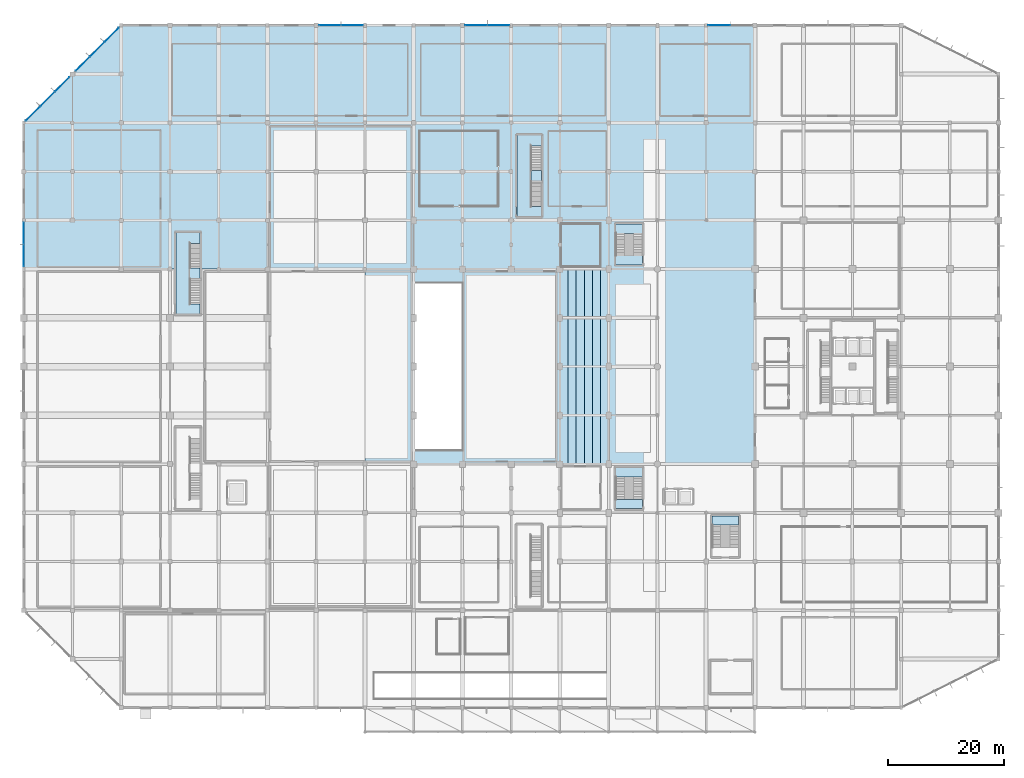
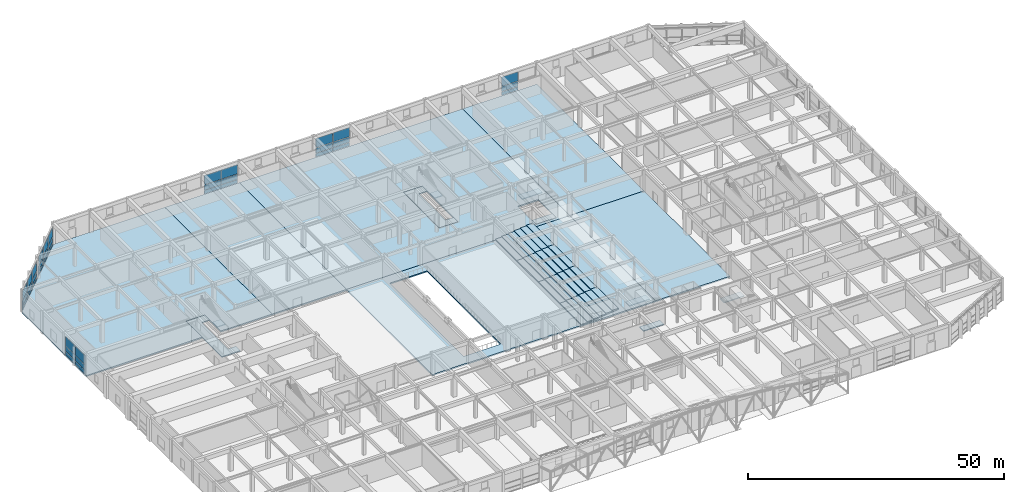
# One storey, part 38 of 62: 39 plates, 19 slabs, 11 elements without a shape of their own.
"""IFC4 building model written with IfcOpenShell, lengths in metres."""

from ifc_helpers import new_model, si_unit, direction, frame, origin, origin_2d, place, context, subcontext, project, spatial, polyline, rectangle, outline, extrude, material, layer, layer_set, type_object, element, aggregate, save


model = new_model("IFC4")

# Units and contexts
model_context = context("Model", 3, precision=1e-05, world=origin(), true_north=direction((0.0, 1.0)))
body_context = subcontext(model_context, "Body", "Model", "MODEL_VIEW")
ifc_project = project(units=[si_unit("LENGTHUNIT", "METRE"), si_unit("AREAUNIT", "SQUARE_METRE"), si_unit("VOLUMEUNIT", "CUBIC_METRE"), si_unit("PLANEANGLEUNIT", "RADIAN"), si_unit("MASSUNIT", "GRAM", prefix="KILO")], contexts=[model_context])

# Site, building, storey
site_placement = place(None, origin())
site = spatial("IfcSite", under=ifc_project, at=site_placement, CompositionType="ELEMENT")
building_placement = place(site_placement, origin())
building = spatial("IfcBuilding", under=site, at=building_placement, Name="Xuanlan Plaza Opera House", CompositionType="ELEMENT")
storey_placement = place(building_placement, origin())
storey = spatial("IfcBuildingStorey", under=building, at=storey_placement, Name="L00", CompositionType="ELEMENT", Elevation=0.0)

# Curtain wall, plates
ifc_material_1 = material(Name="Anodised Aluminium 6063-T6 and Low-E Glass", Category="aluminium")
curtain_wall_type_1 = type_object("IfcCurtainWallType", Name="ENV-CW-CW-02", PredefinedType="USERDEFINED", material=ifc_material_1)
curtain_wall_1_placement = place(storey_placement, origin())
curtain_wall_1 = element("IfcCurtainWall", 1, at=curtain_wall_1_placement, inside=storey, type_object=curtain_wall_type_1, Name="Unitised Curtain Wall L00-048", ObjectType="UNITISED CURTAIN WALL", PredefinedType="USERDEFINED")
ifc_material_2 = material(Name="Laminated Acoustic Double Glazing", Category="glass")
ifc_layer_1 = layer(ifc_material_2, 0.028076171875)
ifc_layer_set_1 = layer_set([ifc_layer_1], Name="Laminated Acoustic Double Glazing")
plate_type_1 = type_object("IfcPlateType", Name="ENV-CWP-01", PredefinedType="CURTAIN_PANEL", material=ifc_layer_set_1)
plate_1_placement = place(storey_placement, frame((6.622314453125, 107.42236328125, 0.074951171875), z_axis=(0.0, 0.0, 1.0), x_axis=(-0.707106781187, -0.707106781187, 0.0)))
plate_1 = element("IfcPlate", 2, at=plate_1_placement, type_object=plate_type_1, Name="CW-02 panel 1.1", PredefinedType="CURTAIN_PANEL", context=body_context, shape_type="SweptSolid", body=[
    extrude(rectangle(XDim=3.436767578125, YDim=0.028076171875, at=origin_2d()), origin(), (0.0, 0.0, 1.0), 0.83740234375),
])
plate_2_placement = place(storey_placement, frame((6.622314453125, 107.42236328125, 0.987548828125), z_axis=(0.0, 0.0, 1.0), x_axis=(-0.707106781187, -0.707106781187, 0.0)))
plate_2 = element("IfcPlate", 3, at=plate_2_placement, type_object=plate_type_1, Name="CW-02 panel 1.2", PredefinedType="CURTAIN_PANEL", context=body_context, shape_type="SweptSolid", body=[
    extrude(rectangle(XDim=3.436767578125, YDim=0.028076171875, at=origin_2d()), origin(), (0.0, 0.0, 1.0), 1.22509765625),
])
plate_3_placement = place(storey_placement, frame((6.622314453125, 107.42236328125, 2.28759765625), z_axis=(0.0, 0.0, 1.0), x_axis=(-0.707106781187, -0.707106781187, 0.0)))
plate_3 = element("IfcPlate", 4, at=plate_3_placement, type_object=plate_type_1, Name="CW-02 panel 1.3", PredefinedType="CURTAIN_PANEL", context=body_context, shape_type="SweptSolid", body=[
    extrude(rectangle(XDim=3.436767578125, YDim=0.028076171875, at=origin_2d()), origin(), (0.0, 0.0, 1.0), 2.217529296875),
])
plate_4_placement = place(storey_placement, frame((4.112548828125, 104.91259765625, 0.074951171875), z_axis=(0.0, 0.0, 1.0), x_axis=(-0.707106781187, -0.707106781187, 0.0)))
plate_4 = element("IfcPlate", 5, at=plate_4_placement, type_object=plate_type_1, Name="CW-02 panel 2.1", PredefinedType="CURTAIN_PANEL", context=body_context, shape_type="SweptSolid", body=[
    extrude(rectangle(XDim=3.48193359375, YDim=0.028076171875, at=origin_2d()), origin(), (0.0, 0.0, 1.0), 0.83740234375),
])
plate_5_placement = place(storey_placement, frame((4.112548828125, 104.91259765625, 0.987548828125), z_axis=(0.0, 0.0, 1.0), x_axis=(-0.707106781187, -0.707106781187, 0.0)))
plate_5 = element("IfcPlate", 6, at=plate_5_placement, type_object=plate_type_1, Name="CW-02 panel 2.2", PredefinedType="CURTAIN_PANEL", context=body_context, shape_type="SweptSolid", body=[
    extrude(rectangle(XDim=3.48193359375, YDim=0.028076171875, at=origin_2d()), origin(), (0.0, 0.0, 1.0), 1.22509765625),
])
plate_6_placement = place(storey_placement, frame((4.112548828125, 104.91259765625, 2.28759765625), z_axis=(0.0, 0.0, 1.0), x_axis=(-0.707106781187, -0.707106781187, 0.0)))
plate_6 = element("IfcPlate", 7, at=plate_6_placement, type_object=plate_type_1, Name="CW-02 panel 2.3", PredefinedType="CURTAIN_PANEL", context=body_context, shape_type="SweptSolid", body=[
    extrude(rectangle(XDim=3.48193359375, YDim=0.028076171875, at=origin_2d()), origin(), (0.0, 0.0, 1.0), 2.217529296875),
])
plate_7_placement = place(storey_placement, frame((1.602783203125, 102.40283203125, 0.074951171875), z_axis=(0.0, 0.0, 1.0), x_axis=(-0.707106781187, -0.707106781187, 0.0)))
plate_7 = element("IfcPlate", 8, at=plate_7_placement, type_object=plate_type_1, Name="CW-02 panel 3.1", PredefinedType="CURTAIN_PANEL", context=body_context, shape_type="SweptSolid", body=[
    extrude(rectangle(XDim=3.436767578125, YDim=0.028076171875, at=origin_2d()), origin(), (0.0, 0.0, 1.0), 0.83740234375),
])
plate_8_placement = place(storey_placement, frame((1.602783203125, 102.40283203125, 0.987548828125), z_axis=(0.0, 0.0, 1.0), x_axis=(-0.707106781187, -0.707106781187, 0.0)))
plate_8 = element("IfcPlate", 9, at=plate_8_placement, type_object=plate_type_1, Name="CW-02 panel 3.2", PredefinedType="CURTAIN_PANEL", context=body_context, shape_type="SweptSolid", body=[
    extrude(rectangle(XDim=3.436767578125, YDim=0.028076171875, at=origin_2d()), origin(), (0.0, 0.0, 1.0), 1.22509765625),
])
plate_9_placement = place(storey_placement, frame((1.602783203125, 102.40283203125, 2.28759765625), z_axis=(0.0, 0.0, 1.0), x_axis=(-0.707106781187, -0.707106781187, 0.0)))
plate_9 = element("IfcPlate", 10, at=plate_9_placement, type_object=plate_type_1, Name="CW-02 panel 3.3", PredefinedType="CURTAIN_PANEL", context=body_context, shape_type="SweptSolid", body=[
    extrude(rectangle(XDim=3.436767578125, YDim=0.028076171875, at=origin_2d()), origin(), (0.0, 0.0, 1.0), 2.217529296875),
])
aggregate(curtain_wall_1, [plate_1, plate_2, plate_3, plate_4, plate_5, plate_6, plate_7, plate_8, plate_9])

curtain_wall_type_2 = type_object("IfcCurtainWallType", Name="ENV-CW-CW-04", PredefinedType="USERDEFINED", material=ifc_material_1)
curtain_wall_2_placement = place(storey_placement, origin())
curtain_wall_2 = element("IfcCurtainWall", 11, at=curtain_wall_2_placement, inside=storey, type_object=curtain_wall_type_2, Name="Unitised Curtain Wall L00-042", ObjectType="UNITISED CURTAIN WALL", PredefinedType="USERDEFINED")
ifc_layer_2 = layer(ifc_material_2, 0.035888671875)
ifc_layer_set_2 = layer_set([ifc_layer_2], Name="Laminated Acoustic Double Glazing")
plate_type_2 = type_object("IfcPlateType", Name="ENV-CWP-03", PredefinedType="CURTAIN_PANEL", material=ifc_layer_set_2)
plate_10_placement = place(storey_placement, frame((56.58251953125, 117.60009765625, 0.06494140625), z_axis=(0.0, 0.0, 1.0), x_axis=(-1.0, 0.0, 0.0)))
plate_10 = element("IfcPlate", 12, at=plate_10_placement, type_object=plate_type_2, Name="CW-04 panel 1.1", PredefinedType="CURTAIN_PANEL", context=body_context, shape_type="SweptSolid", body=[
    extrude(rectangle(XDim=3.735107421875, YDim=0.035888671875, at=origin_2d()), origin(), (0.0, 0.0, 1.0), 0.8525390625),
])
plate_11_placement = place(storey_placement, frame((56.58251953125, 117.60009765625, 0.982421875), z_axis=(0.0, 0.0, 1.0), x_axis=(-1.0, 0.0, 0.0)))
plate_11 = element("IfcPlate", 13, at=plate_11_placement, type_object=plate_type_2, Name="CW-04 panel 1.2", PredefinedType="CURTAIN_PANEL", context=body_context, shape_type="SweptSolid", body=[
    extrude(rectangle(XDim=3.735107421875, YDim=0.035888671875, at=origin_2d()), origin(), (0.0, 0.0, 1.0), 1.235107421875),
])
plate_12_placement = place(storey_placement, frame((56.58251953125, 117.60009765625, 2.282470703125), z_axis=(0.0, 0.0, 1.0), x_axis=(-1.0, 0.0, 0.0)))
plate_12 = element("IfcPlate", 14, at=plate_12_placement, type_object=plate_type_2, Name="CW-04 panel 1.3", PredefinedType="CURTAIN_PANEL", context=body_context, shape_type="SweptSolid", body=[
    extrude(rectangle(XDim=3.735107421875, YDim=0.035888671875, at=origin_2d()), origin(), (0.0, 0.0, 1.0), 2.232421875),
])
plate_13_placement = place(storey_placement, frame((52.767578125, 117.60009765625, 0.06494140625), z_axis=(0.0, 0.0, 1.0), x_axis=(-1.0, 0.0, 0.0)))
plate_13 = element("IfcPlate", 15, at=plate_13_placement, type_object=plate_type_2, Name="CW-04 panel 2.1", PredefinedType="CURTAIN_PANEL", context=body_context, shape_type="SweptSolid", body=[
    extrude(rectangle(XDim=3.735107421875, YDim=0.035888671875, at=origin_2d()), origin(), (0.0, 0.0, 1.0), 0.8525390625),
])
plate_14_placement = place(storey_placement, frame((52.767578125, 117.60009765625, 0.982421875), z_axis=(0.0, 0.0, 1.0), x_axis=(-1.0, 0.0, 0.0)))
plate_14 = element("IfcPlate", 16, at=plate_14_placement, type_object=plate_type_2, Name="CW-04 panel 2.2", PredefinedType="CURTAIN_PANEL", context=body_context, shape_type="SweptSolid", body=[
    extrude(rectangle(XDim=3.735107421875, YDim=0.035888671875, at=origin_2d()), origin(), (0.0, 0.0, 1.0), 1.235107421875),
])
plate_15_placement = place(storey_placement, frame((52.767578125, 117.60009765625, 2.282470703125), z_axis=(0.0, 0.0, 1.0), x_axis=(-1.0, 0.0, 0.0)))
plate_15 = element("IfcPlate", 17, at=plate_15_placement, type_object=plate_type_2, Name="CW-04 panel 2.3", PredefinedType="CURTAIN_PANEL", context=body_context, shape_type="SweptSolid", body=[
    extrude(rectangle(XDim=3.735107421875, YDim=0.035888671875, at=origin_2d()), origin(), (0.0, 0.0, 1.0), 2.232421875),
])
aggregate(curtain_wall_2, [plate_10, plate_11, plate_12, plate_13, plate_14, plate_15])

curtain_wall_type_3 = type_object("IfcCurtainWallType", Name="ENV-CW-CW-01", PredefinedType="USERDEFINED", material=ifc_material_1)
curtain_wall_3_placement = place(storey_placement, origin())
curtain_wall_3 = element("IfcCurtainWall", 18, at=curtain_wall_3_placement, inside=storey, type_object=curtain_wall_type_3, Name="Unitised Curtain Wall L00-047", ObjectType="UNITISED CURTAIN WALL", PredefinedType="USERDEFINED")
plate_16_placement = place(storey_placement, frame((15.136474609375, 115.9365234375, 0.06494140625), z_axis=(0.0, 0.0, 1.0), x_axis=(-0.707106781187, -0.707106781187, 0.0)))
plate_16 = element("IfcPlate", 19, at=plate_16_placement, type_object=plate_type_2, Name="CW-01 panel 1.1", PredefinedType="CURTAIN_PANEL", context=body_context, shape_type="SweptSolid", body=[
    extrude(rectangle(XDim=3.41650390625, YDim=0.035888671875, at=origin_2d()), origin(), (0.0, 0.0, 1.0), 0.8525390625),
])
plate_17_placement = place(storey_placement, frame((15.136474609375, 115.9365234375, 0.982421875), z_axis=(0.0, 0.0, 1.0), x_axis=(-0.707106781187, -0.707106781187, 0.0)))
plate_17 = element("IfcPlate", 20, at=plate_17_placement, type_object=plate_type_2, Name="CW-01 panel 1.2", PredefinedType="CURTAIN_PANEL", context=body_context, shape_type="SweptSolid", body=[
    extrude(rectangle(XDim=3.41650390625, YDim=0.035888671875, at=origin_2d()), origin(), (0.0, 0.0, 1.0), 1.235107421875),
])
plate_18_placement = place(storey_placement, frame((15.136474609375, 115.9365234375, 2.282470703125), z_axis=(0.0, 0.0, 1.0), x_axis=(-0.707106781187, -0.707106781187, 0.0)))
plate_18 = element("IfcPlate", 21, at=plate_18_placement, type_object=plate_type_2, Name="CW-01 panel 1.3", PredefinedType="CURTAIN_PANEL", context=body_context, shape_type="SweptSolid", body=[
    extrude(rectangle(XDim=3.41650390625, YDim=0.035888671875, at=origin_2d()), origin(), (0.0, 0.0, 1.0), 2.232421875),
])
plate_19_placement = place(storey_placement, frame((12.64990234375, 113.449951171875, 0.06494140625), z_axis=(0.0, 0.0, 1.0), x_axis=(-0.707106781187, -0.707106781187, 0.0)))
plate_19 = element("IfcPlate", 22, at=plate_19_placement, type_object=plate_type_2, Name="CW-01 panel 2.1", PredefinedType="CURTAIN_PANEL", context=body_context, shape_type="SweptSolid", body=[
    extrude(rectangle(XDim=3.45654296875, YDim=0.035888671875, at=origin_2d()), origin(), (0.0, 0.0, 1.0), 0.8525390625),
])
plate_20_placement = place(storey_placement, frame((12.64990234375, 113.449951171875, 0.982421875), z_axis=(0.0, 0.0, 1.0), x_axis=(-0.707106781187, -0.707106781187, 0.0)))
plate_20 = element("IfcPlate", 23, at=plate_20_placement, type_object=plate_type_2, Name="CW-01 panel 2.2", PredefinedType="CURTAIN_PANEL", context=body_context, shape_type="SweptSolid", body=[
    extrude(rectangle(XDim=3.45654296875, YDim=0.035888671875, at=origin_2d()), origin(), (0.0, 0.0, 1.0), 1.235107421875),
])
plate_21_placement = place(storey_placement, frame((12.64990234375, 113.449951171875, 2.282470703125), z_axis=(0.0, 0.0, 1.0), x_axis=(-0.707106781187, -0.707106781187, 0.0)))
plate_21 = element("IfcPlate", 24, at=plate_21_placement, type_object=plate_type_2, Name="CW-01 panel 2.3", PredefinedType="CURTAIN_PANEL", context=body_context, shape_type="SweptSolid", body=[
    extrude(rectangle(XDim=3.45654296875, YDim=0.035888671875, at=origin_2d()), origin(), (0.0, 0.0, 1.0), 2.232421875),
])
plate_22_placement = place(storey_placement, frame((10.16357421875, 110.96337890625, 0.06494140625), z_axis=(0.0, 0.0, 1.0), x_axis=(-0.707106781187, -0.707106781187, 0.0)))
plate_22 = element("IfcPlate", 25, at=plate_22_placement, type_object=plate_type_2, Name="CW-01 panel 3.1", PredefinedType="CURTAIN_PANEL", context=body_context, shape_type="SweptSolid", body=[
    extrude(rectangle(XDim=3.41650390625, YDim=0.035888671875, at=origin_2d()), origin(), (0.0, 0.0, 1.0), 0.8525390625),
])
plate_23_placement = place(storey_placement, frame((10.16357421875, 110.96337890625, 0.982421875), z_axis=(0.0, 0.0, 1.0), x_axis=(-0.707106781187, -0.707106781187, 0.0)))
plate_23 = element("IfcPlate", 26, at=plate_23_placement, type_object=plate_type_2, Name="CW-01 panel 3.2", PredefinedType="CURTAIN_PANEL", context=body_context, shape_type="SweptSolid", body=[
    extrude(rectangle(XDim=3.41650390625, YDim=0.035888671875, at=origin_2d()), origin(), (0.0, 0.0, 1.0), 1.235107421875),
])
plate_24_placement = place(storey_placement, frame((10.16357421875, 110.96337890625, 2.282470703125), z_axis=(0.0, 0.0, 1.0), x_axis=(-0.707106781187, -0.707106781187, 0.0)))
plate_24 = element("IfcPlate", 27, at=plate_24_placement, type_object=plate_type_2, Name="CW-01 panel 3.3", PredefinedType="CURTAIN_PANEL", context=body_context, shape_type="SweptSolid", body=[
    extrude(rectangle(XDim=3.41650390625, YDim=0.035888671875, at=origin_2d()), origin(), (0.0, 0.0, 1.0), 2.232421875),
])
aggregate(curtain_wall_3, [plate_16, plate_17, plate_18, plate_19, plate_20, plate_21, plate_22, plate_23, plate_24])

curtain_wall_type_4 = type_object("IfcCurtainWallType", Name="ENV-CW-CW-05", PredefinedType="USERDEFINED", material=ifc_material_1)
curtain_wall_4_placement = place(storey_placement, origin())
curtain_wall_4 = element("IfcCurtainWall", 28, at=curtain_wall_4_placement, inside=storey, type_object=curtain_wall_type_4, Name="Acoustic Glazed Wall L00-034", ObjectType="ACOUSTIC GLAZED WALL", PredefinedType="USERDEFINED")
ifc_layer_3 = layer(ifc_material_2, 0.0400390625)
ifc_layer_set_3 = layer_set([ifc_layer_3], Name="Laminated Acoustic Double Glazing")
plate_type_3 = type_object("IfcPlateType", Name="ENV-CWP-04", PredefinedType="CURTAIN_PANEL", material=ifc_layer_set_3)
plate_25_placement = place(storey_placement, frame((119.851318359375, 117.60009765625, 0.090087890625), z_axis=(0.0, 0.0, 1.0), x_axis=(-1.0, 0.0, 0.0)))
plate_25 = element("IfcPlate", 29, at=plate_25_placement, type_object=plate_type_3, Name="CW-05 panel 2.1", PredefinedType="CURTAIN_PANEL", context=body_context, shape_type="SweptSolid", body=[
    extrude(rectangle(XDim=3.732421875, YDim=0.0400390625, at=origin_2d()), origin(), (0.0, 0.0, 1.0), 0.81494140625),
])
plate_26_placement = place(storey_placement, frame((119.851318359375, 117.60009765625, 0.9951171875), z_axis=(0.0, 0.0, 1.0), x_axis=(-1.0, 0.0, 0.0)))
plate_26 = element("IfcPlate", 30, at=plate_26_placement, type_object=plate_type_3, Name="CW-05 panel 2.2", PredefinedType="CURTAIN_PANEL", context=body_context, shape_type="SweptSolid", body=[
    extrude(rectangle(XDim=3.732421875, YDim=0.0400390625, at=origin_2d()), origin(), (0.0, 0.0, 1.0), 1.2099609375),
])
plate_27_placement = place(storey_placement, frame((119.851318359375, 117.60009765625, 2.294921875), z_axis=(0.0, 0.0, 1.0), x_axis=(-1.0, 0.0, 0.0)))
plate_27 = element("IfcPlate", 31, at=plate_27_placement, type_object=plate_type_3, Name="CW-05 panel 2.3", PredefinedType="CURTAIN_PANEL", context=body_context, shape_type="SweptSolid", body=[
    extrude(rectangle(XDim=3.732421875, YDim=0.0400390625, at=origin_2d()), origin(), (0.0, 0.0, 1.0), 2.195068359375),
])
aggregate(curtain_wall_4, [plate_25, plate_26, plate_27])

curtain_wall_type_5 = type_object("IfcCurtainWallType", Name="ENV-CW-CW-06", PredefinedType="USERDEFINED", material=ifc_material_1)
curtain_wall_5_placement = place(storey_placement, origin())
curtain_wall_5 = element("IfcCurtainWall", 32, at=curtain_wall_5_placement, inside=storey, type_object=curtain_wall_type_5, Name="Acoustic Glazed Wall L00-039", ObjectType="ACOUSTIC GLAZED WALL", PredefinedType="USERDEFINED")
plate_28_placement = place(storey_placement, frame((81.804931640625, 117.60009765625, 0.090087890625), z_axis=(0.0, 0.0, 1.0), x_axis=(-1.0, 0.0, 0.0)))
plate_28 = element("IfcPlate", 33, at=plate_28_placement, type_object=plate_type_3, Name="CW-06 panel 1.1", PredefinedType="CURTAIN_PANEL", context=body_context, shape_type="SweptSolid", body=[
    extrude(rectangle(XDim=3.77001953125, YDim=0.0400390625, at=origin_2d()), origin(), (0.0, 0.0, 1.0), 0.81494140625),
])
plate_29_placement = place(storey_placement, frame((81.804931640625, 117.60009765625, 0.9951171875), z_axis=(0.0, 0.0, 1.0), x_axis=(-1.0, 0.0, 0.0)))
plate_29 = element("IfcPlate", 34, at=plate_29_placement, type_object=plate_type_3, Name="CW-06 panel 1.2", PredefinedType="CURTAIN_PANEL", context=body_context, shape_type="SweptSolid", body=[
    extrude(rectangle(XDim=3.77001953125, YDim=0.0400390625, at=origin_2d()), origin(), (0.0, 0.0, 1.0), 1.2099609375),
])
plate_30_placement = place(storey_placement, frame((81.804931640625, 117.60009765625, 2.294921875), z_axis=(0.0, 0.0, 1.0), x_axis=(-1.0, 0.0, 0.0)))
plate_30 = element("IfcPlate", 35, at=plate_30_placement, type_object=plate_type_3, Name="CW-06 panel 1.3", PredefinedType="CURTAIN_PANEL", context=body_context, shape_type="SweptSolid", body=[
    extrude(rectangle(XDim=3.77001953125, YDim=0.0400390625, at=origin_2d()), origin(), (0.0, 0.0, 1.0), 2.195068359375),
])
plate_31_placement = place(storey_placement, frame((77.969970703125, 117.60009765625, 0.090087890625), z_axis=(0.0, 0.0, 1.0), x_axis=(-1.0, 0.0, 0.0)))
plate_31 = element("IfcPlate", 36, at=plate_31_placement, type_object=plate_type_3, Name="CW-06 panel 2.1", PredefinedType="CURTAIN_PANEL", context=body_context, shape_type="SweptSolid", body=[
    extrude(rectangle(XDim=3.77001953125, YDim=0.0400390625, at=origin_2d()), origin(), (0.0, 0.0, 1.0), 0.81494140625),
])
plate_32_placement = place(storey_placement, frame((77.969970703125, 117.60009765625, 0.9951171875), z_axis=(0.0, 0.0, 1.0), x_axis=(-1.0, 0.0, 0.0)))
plate_32 = element("IfcPlate", 37, at=plate_32_placement, type_object=plate_type_3, Name="CW-06 panel 2.2", PredefinedType="CURTAIN_PANEL", context=body_context, shape_type="SweptSolid", body=[
    extrude(rectangle(XDim=3.77001953125, YDim=0.0400390625, at=origin_2d()), origin(), (0.0, 0.0, 1.0), 1.2099609375),
])
plate_33_placement = place(storey_placement, frame((77.969970703125, 117.60009765625, 2.294921875), z_axis=(0.0, 0.0, 1.0), x_axis=(-1.0, 0.0, 0.0)))
plate_33 = element("IfcPlate", 38, at=plate_33_placement, type_object=plate_type_3, Name="CW-06 panel 2.3", PredefinedType="CURTAIN_PANEL", context=body_context, shape_type="SweptSolid", body=[
    extrude(rectangle(XDim=3.77001953125, YDim=0.0400390625, at=origin_2d()), origin(), (0.0, 0.0, 1.0), 2.195068359375),
])
aggregate(curtain_wall_5, [plate_28, plate_29, plate_30, plate_31, plate_32, plate_33])

curtain_wall_6_placement = place(storey_placement, origin())
curtain_wall_6 = element("IfcCurtainWall", 39, at=curtain_wall_6_placement, inside=storey, type_object=curtain_wall_type_3, Name="Unitised Curtain Wall L00-051", ObjectType="UNITISED CURTAIN WALL", PredefinedType="USERDEFINED")
ifc_layer_4 = layer(ifc_material_2, 0.0439453125)
ifc_layer_set_4 = layer_set([ifc_layer_4], Name="Laminated Acoustic Double Glazing")
plate_type_4 = type_object("IfcPlateType", Name="ENV-CWP-05", PredefinedType="CURTAIN_PANEL", material=ifc_layer_set_4)
plate_34_placement = place(storey_placement, frame((0.0, 81.739990234375, 0.080078125), z_axis=(0.0, 0.0, 1.0), x_axis=(0.0, -1.0, 0.0)))
plate_34 = element("IfcPlate", 40, at=plate_34_placement, type_object=plate_type_4, Name="CW-01 panel 1.1", PredefinedType="CURTAIN_PANEL", context=body_context, shape_type="SweptSolid", body=[
    extrude(rectangle(XDim=3.72998046875, YDim=0.0439453125, at=origin_2d()), origin(), (0.0, 0.0, 1.0), 0.830078125),
])
plate_35_placement = place(storey_placement, frame((0.0, 81.739990234375, 0.990234375), z_axis=(0.0, 0.0, 1.0), x_axis=(0.0, -1.0, 0.0)))
plate_35 = element("IfcPlate", 41, at=plate_35_placement, type_object=plate_type_4, Name="CW-01 panel 1.2", PredefinedType="CURTAIN_PANEL", context=body_context, shape_type="SweptSolid", body=[
    extrude(rectangle(XDim=3.72998046875, YDim=0.0439453125, at=origin_2d()), origin(), (0.0, 0.0, 1.0), 1.219970703125),
])
plate_36_placement = place(storey_placement, frame((0.0, 81.739990234375, 2.2900390625), z_axis=(0.0, 0.0, 1.0), x_axis=(0.0, -1.0, 0.0)))
plate_36 = element("IfcPlate", 42, at=plate_36_placement, type_object=plate_type_4, Name="CW-01 panel 1.3", PredefinedType="CURTAIN_PANEL", context=body_context, shape_type="SweptSolid", body=[
    extrude(rectangle(XDim=3.72998046875, YDim=0.0439453125, at=origin_2d()), origin(), (0.0, 0.0, 1.0), 2.2099609375),
])
plate_37_placement = place(storey_placement, frame((0.0, 77.93505859375, 0.080078125), z_axis=(0.0, 0.0, 1.0), x_axis=(0.0, -1.0, 0.0)))
plate_37 = element("IfcPlate", 43, at=plate_37_placement, type_object=plate_type_4, Name="CW-01 panel 2.1", PredefinedType="CURTAIN_PANEL", context=body_context, shape_type="SweptSolid", body=[
    extrude(rectangle(XDim=3.72998046875, YDim=0.0439453125, at=origin_2d()), origin(), (0.0, 0.0, 1.0), 0.830078125),
])
plate_38_placement = place(storey_placement, frame((0.0, 77.93505859375, 0.990234375), z_axis=(0.0, 0.0, 1.0), x_axis=(0.0, -1.0, 0.0)))
plate_38 = element("IfcPlate", 44, at=plate_38_placement, type_object=plate_type_4, Name="CW-01 panel 2.2", PredefinedType="CURTAIN_PANEL", context=body_context, shape_type="SweptSolid", body=[
    extrude(rectangle(XDim=3.72998046875, YDim=0.0439453125, at=origin_2d()), origin(), (0.0, 0.0, 1.0), 1.219970703125),
])
plate_39_placement = place(storey_placement, frame((0.0, 77.93505859375, 2.2900390625), z_axis=(0.0, 0.0, 1.0), x_axis=(0.0, -1.0, 0.0)))
plate_39 = element("IfcPlate", 45, at=plate_39_placement, type_object=plate_type_4, Name="CW-01 panel 2.3", PredefinedType="CURTAIN_PANEL", context=body_context, shape_type="SweptSolid", body=[
    extrude(rectangle(XDim=3.72998046875, YDim=0.0439453125, at=origin_2d()), origin(), (0.0, 0.0, 1.0), 2.2099609375),
])
aggregate(curtain_wall_6, [plate_34, plate_35, plate_36, plate_37, plate_38, plate_39])

# Stair, slabs
ifc_material_3 = material(Name="Concrete C40", Category="concrete")
stair_type_1 = type_object("IfcStairType", Name="INT-ST-STR-F130", PredefinedType="HALF_TURN_STAIR", material=ifc_material_3)
stair_1_placement = place(storey_placement, origin())
stair_1 = element("IfcStair", 46, at=stair_1_placement, inside=storey, type_object=stair_type_1, Name="Grand Foyer Feature Stair ST-F1 L00", PredefinedType="HALF_TURN_STAIR")
ifc_layer_5 = layer(ifc_material_3, 0.18994140625)
ifc_layer_set_5 = layer_set([ifc_layer_5], Name="Concrete C40")
slab_type_1 = type_object("IfcSlabType", Name="INT-SLB-LND-19", PredefinedType="LANDING", material=ifc_layer_set_5)
slab_1_placement = place(storey_placement, frame((0.0, 0.0, 2.510009765625)))
slab_1 = element("IfcSlab", 47, at=slab_1_placement, type_object=slab_type_1, Name="ST-F1-L00 landing 1", PredefinedType="LANDING", context=body_context, shape_type="SweptSolid", body=[
    extrude(outline(polyline([(102.0, 39.77490234375), (106.60009765625, 39.77490234375), (106.60009765625, 41.3798828125), (102.0, 41.3798828125), (102.0, 39.77490234375)])), origin(), (0.0, 0.0, 1.0), 0.18994140625),
])
slab_2_placement = place(storey_placement, frame((0.0, 0.0, -0.18994140625)))
slab_2 = element("IfcSlab", 48, at=slab_2_placement, type_object=slab_type_1, Name="ST-F1-L00 landing 2", PredefinedType="LANDING", context=body_context, shape_type="SweptSolid", body=[
    extrude(outline(polyline([(102.0, 34.300048828125), (106.60009765625, 34.300048828125), (106.60009765625, 35.905029296875), (102.0, 35.905029296875), (102.0, 34.300048828125)])), origin(), (0.0, 0.0, 1.0), 0.18994140625),
])
aggregate(stair_1, [slab_1, slab_2])

stair_2_placement = place(storey_placement, origin())
stair_2 = element("IfcStair", 49, at=stair_2_placement, inside=storey, type_object=stair_type_1, Name="Grand Foyer Feature Stair ST-F2 L00", PredefinedType="HALF_TURN_STAIR")
slab_3_placement = place(storey_placement, frame((0.0, 0.0, 2.510009765625)))
slab_3 = element("IfcSlab", 50, at=slab_3_placement, type_object=slab_type_1, Name="ST-F2-L00 landing 1", PredefinedType="LANDING", context=body_context, shape_type="SweptSolid", body=[
    extrude(outline(polyline([(102.0, 81.77490234375), (106.60009765625, 81.77490234375), (106.60009765625, 83.3798828125), (102.0, 83.3798828125), (102.0, 81.77490234375)])), origin(), (0.0, 0.0, 1.0), 0.18994140625),
])
slab_4_placement = place(storey_placement, frame((0.0, 0.0, -0.18994140625)))
slab_4 = element("IfcSlab", 51, at=slab_4_placement, type_object=slab_type_1, Name="ST-F2-L00 landing 2", PredefinedType="LANDING", context=body_context, shape_type="SweptSolid", body=[
    extrude(outline(polyline([(102.0, 76.300048828125), (106.60009765625, 76.300048828125), (106.60009765625, 77.905029296875), (102.0, 77.905029296875), (102.0, 76.300048828125)])), origin(), (0.0, 0.0, 1.0), 0.18994140625),
])
aggregate(stair_2, [slab_3, slab_4])

# Stair, slab
stair_type_2 = type_object("IfcStairType", Name="INT-ST-STR-F135", PredefinedType="HALF_TURN_STAIR", material=ifc_material_3)
stair_3_placement = place(storey_placement, origin())
stair_3 = element("IfcStair", 52, at=stair_3_placement, inside=storey, type_object=stair_type_2, Name="Grand Foyer Feature Stair ST-F3 L00", PredefinedType="HALF_TURN_STAIR")
slab_5_placement = place(storey_placement, frame((0.0, 0.0, 2.510009765625)))
slab_5 = element("IfcSlab", 53, at=slab_5_placement, type_object=slab_type_1, Name="ST-F3-L00 landing 1", PredefinedType="LANDING", context=body_context, shape_type="SweptSolid", body=[
    extrude(outline(polyline([(118.60009765625, 31.47509765625), (123.199951171875, 31.47509765625), (123.199951171875, 33.080078125), (118.60009765625, 33.080078125), (118.60009765625, 31.47509765625)])), origin(), (0.0, 0.0, 1.0), 0.18994140625),
])
aggregate(stair_3, [slab_5])

# Stair, slabs
stair_type_3 = type_object("IfcStairType", Name="INT-ST-STR-P180", PredefinedType="STRAIGHT_RUN_STAIR", material=ifc_material_3)
stair_4_placement = place(storey_placement, origin())
stair_4 = element("IfcStair", 54, at=stair_4_placement, inside=storey, type_object=stair_type_3, Name="Protected Exit Stair ST-P2 L00", PredefinedType="STRAIGHT_RUN_STAIR")
ifc_layer_6 = layer(ifc_material_3, 0.199951171875)
ifc_layer_set_6 = layer_set([ifc_layer_6], Name="Concrete C40")
slab_type_2 = type_object("IfcSlabType", Name="INT-SLB-LND-20", PredefinedType="LANDING", material=ifc_layer_set_6)
slab_6_placement = place(storey_placement, frame((0.0, 0.0, 2.5)))
slab_6 = element("IfcSlab", 55, at=slab_6_placement, type_object=slab_type_2, Name="ST-P2-L00 landing 1", PredefinedType="LANDING", context=body_context, shape_type="SweptSolid", body=[
    extrude(outline(polyline([(28.60009765625, 73.85009765625), (30.39990234375, 73.85009765625), (30.39990234375, 75.75), (28.60009765625, 75.75), (28.60009765625, 73.85009765625)])), origin(), (0.0, 0.0, 1.0), 0.199951171875),
])
slab_7_placement = place(storey_placement, frame((0.0, 0.0, -0.199951171875)))
slab_7 = element("IfcSlab", 56, at=slab_7_placement, type_object=slab_type_2, Name="ST-P2-L00 landing 2", PredefinedType="LANDING", context=body_context, shape_type="SweptSolid", body=[
    extrude(outline(polyline([(26.199951171875, 67.89990234375), (30.39990234375, 67.89990234375), (30.39990234375, 69.625), (28.60009765625, 69.625), (28.60009765625, 79.97509765625), (30.39990234375, 79.97509765625), (30.39990234375, 81.89990234375), (26.199951171875, 81.89990234375), (26.199951171875, 67.89990234375)])), origin(), (0.0, 0.0, 1.0), 0.199951171875),
])
aggregate(stair_4, [slab_6, slab_7])

stair_5_placement = place(storey_placement, origin())
stair_5 = element("IfcStair", 57, at=stair_5_placement, inside=storey, type_object=stair_type_3, Name="Protected Exit Stair ST-P4 L00", PredefinedType="STRAIGHT_RUN_STAIR")
slab_8_placement = place(storey_placement, frame((0.0, 0.0, 2.5)))
slab_8 = element("IfcSlab", 58, at=slab_8_placement, type_object=slab_type_2, Name="ST-P4-L00 landing 1", PredefinedType="LANDING", context=body_context, shape_type="SweptSolid", body=[
    extrude(outline(polyline([(87.39990234375, 90.64990234375), (89.199951171875, 90.64990234375), (89.199951171875, 92.550048828125), (87.39990234375, 92.550048828125), (87.39990234375, 90.64990234375)])), origin(), (0.0, 0.0, 1.0), 0.199951171875),
])
slab_9_placement = place(storey_placement, frame((0.0, 0.0, -0.199951171875)))
slab_9 = element("IfcSlab", 59, at=slab_9_placement, type_object=slab_type_2, Name="ST-P4-L00 landing 2", PredefinedType="LANDING", context=body_context, shape_type="SweptSolid", body=[
    extrude(outline(polyline([(85.0, 84.699951171875), (89.199951171875, 84.699951171875), (89.199951171875, 86.425048828125), (87.39990234375, 86.425048828125), (87.39990234375, 96.77490234375), (89.199951171875, 96.77490234375), (89.199951171875, 98.699951171875), (85.0, 98.699951171875), (85.0, 84.699951171875)])), origin(), (0.0, 0.0, 1.0), 0.199951171875),
])
aggregate(stair_5, [slab_8, slab_9])

# Slabs
ifc_material_4 = material(Name="Concrete C50", Category="concrete")
ifc_layer_7 = layer(ifc_material_4, 0.300048828125)
ifc_layer_set_7 = layer_set([ifc_layer_7], Name="Concrete C50")
slab_type_3 = type_object("IfcSlabType", Name="STR-SLB-SL-01", PredefinedType="FLOOR", material=ifc_layer_set_7)
slab_10_placement = place(storey_placement, frame((0.0, 0.0, -0.300048828125)))
element("IfcSlab", 60, at=slab_10_placement, inside=storey, type_object=slab_type_3, Name="Storey L00 Structural Floor Slab Zone 03", PredefinedType="FLOOR", context=body_context, shape_type="SweptSolid", body=[
    extrude(outline(polyline([(0.0, 100.800048828125), (16.800048828125, 117.60009765625), (42.0, 117.60009765625), (42.0, 75.60009765625), (30.39990234375, 75.60009765625), (30.39990234375, 81.89990234375), (26.199951171875, 81.89990234375), (26.199951171875, 75.60009765625), (0.0, 75.60009765625), (0.0, 100.800048828125)])), origin(), (0.0, 0.0, 1.0), 0.300048828125),
])
slab_11_placement = place(storey_placement, frame((0.0, 0.0, -0.300048828125)))
element("IfcSlab", 61, at=slab_11_placement, inside=storey, type_object=slab_type_3, Name="Storey L00 Structural Floor Slab Zone 06", PredefinedType="FLOOR", context=body_context, shape_type="SweptSolid", body=[
    extrude(outline(polyline([(58.800048828125, 117.60009765625), (58.800048828125, 75.60009765625), (42.0, 75.60009765625), (42.0, 117.60009765625), (58.800048828125, 117.60009765625)])), origin(), (0.0, 0.0, 1.0), 0.300048828125),
])
slab_12_placement = place(storey_placement, frame((0.0, 0.0, -0.300048828125)))
element("IfcSlab", 62, at=slab_12_placement, inside=storey, type_object=slab_type_3, Name="Storey L00 Structural Floor Slab Zone 08", PredefinedType="FLOOR", context=body_context, shape_type="SweptSolid", body=[
    extrude(outline(polyline([(58.800048828125, 42.0), (58.800048828125, 75.60009765625), (109.199951171875, 75.60009765625), (109.199951171875, 42.0), (58.800048828125, 42.0)]), holes=[polyline([(67.199951171875, 73.199951171875), (67.199951171875, 44.39990234375), (75.60009765625, 44.39990234375), (75.60009765625, 73.199951171875), (67.199951171875, 73.199951171875)])]), origin(), (0.0, 0.0, 1.0), 0.300048828125),
])
slab_13_placement = place(storey_placement, frame((0.0, 0.0, -0.300048828125)))
element("IfcSlab", 63, at=slab_13_placement, inside=storey, type_object=slab_type_3, Name="Storey L00 Structural Floor Slab Zone 09", PredefinedType="FLOOR", context=body_context, shape_type="SweptSolid", body=[
    extrude(outline(polyline([(109.199951171875, 117.60009765625), (109.199951171875, 75.60009765625), (58.800048828125, 75.60009765625), (58.800048828125, 117.60009765625), (109.199951171875, 117.60009765625)]), holes=[polyline([(85.0, 84.699951171875), (89.199951171875, 84.699951171875), (89.199951171875, 98.699951171875), (85.0, 98.699951171875), (85.0, 84.699951171875)]), polyline([(106.60009765625, 83.3798828125), (102.0, 83.3798828125), (102.0, 76.300048828125), (106.60009765625, 76.300048828125), (106.60009765625, 83.3798828125)])]), origin(), (0.0, 0.0, 1.0), 0.300048828125),
])
slab_14_placement = place(storey_placement, frame((0.0, 0.0, -0.300048828125)))
element("IfcSlab", 64, at=slab_14_placement, inside=storey, type_object=slab_type_3, Name="Storey L00 Structural Floor Slab Zone 11", PredefinedType="FLOOR", context=body_context, shape_type="SweptSolid", body=[
    extrude(outline(polyline([(109.199951171875, 42.0), (109.199951171875, 75.60009765625), (126.0, 75.60009765625), (126.0, 42.0), (109.199951171875, 42.0)])), origin(), (0.0, 0.0, 1.0), 0.300048828125),
])
slab_15_placement = place(storey_placement, frame((0.0, 0.0, -0.300048828125)))
element("IfcSlab", 65, at=slab_15_placement, inside=storey, type_object=slab_type_3, Name="Storey L00 Structural Floor Slab Zone 12", PredefinedType="FLOOR", context=body_context, shape_type="SweptSolid", body=[
    extrude(outline(polyline([(126.0, 117.60009765625), (126.0, 75.60009765625), (109.199951171875, 75.60009765625), (109.199951171875, 117.60009765625), (126.0, 117.60009765625)])), origin(), (0.0, 0.0, 1.0), 0.300048828125),
])
ifc_layer_8 = layer(ifc_material_3, 0.25)
ifc_layer_set_8 = layer_set([ifc_layer_8], Name="Concrete C40")
slab_type_4 = type_object("IfcSlabType", Name="STR-SLB-TIER-01", PredefinedType="USERDEFINED", material=ifc_layer_set_8)
for number, where, z_axis, x_axis, name in (
    (66, (92.39990234375, 46.199951171875, 0.0), (0.0, 0.0, 1.0), (1.0, 0.0, 0.0), "Auditorium Stalls Seating Tier Bay 1"),
    (67, (92.39990234375, 54.60009765625, 0.0), (0.0, 0.0, 1.0), (1.0, 0.0, 0.0), "Auditorium Stalls Seating Tier Bay 2"),
    (68, (92.39990234375, 63.0, 0.0), (0.0, 0.0, 1.0), (1.0, 0.0, 0.0), "Auditorium Stalls Seating Tier Bay 3"),
    (69, (92.39990234375, 71.39990234375, 0.0), (0.0, 0.0, 1.0), (1.0, 0.0, 0.0), "Auditorium Stalls Seating Tier Bay 4"),
):
    element("IfcSlab", number, at=place(storey_placement, frame(where, z_axis=z_axis, x_axis=x_axis)), inside=storey, type_object=slab_type_4, Name=name, ObjectType="SEATING TIER", PredefinedType="USERDEFINED", context=body_context, shape_type="SweptSolid", body=[
        extrude(outline(polyline([(0.0, 0.0), (0.0, 0.25), (1.39990234375, 0.25), (1.39990234375, 0.429931640625), (2.800048828125, 0.429931640625), (2.800048828125, 0.610107421875), (4.199951171875, 0.610107421875), (4.199951171875, 0.7900390625), (5.60009765625, 0.7900390625), (5.60009765625, 0.969970703125), (7.0, 0.969970703125), (7.0, 1.14990234375), (8.39990234375, 1.14990234375), (8.39990234375, 0.89990234375), (0.0, 0.0)])), frame((0.0, 4.199951171875, 0.0), z_axis=(0.0, -1.0, 0.0), x_axis=(1.0, 0.0, 0.0)), (0.0, 0.0, 1.0), 8.39990234375),
    ])

save(model, "model.ifc")
